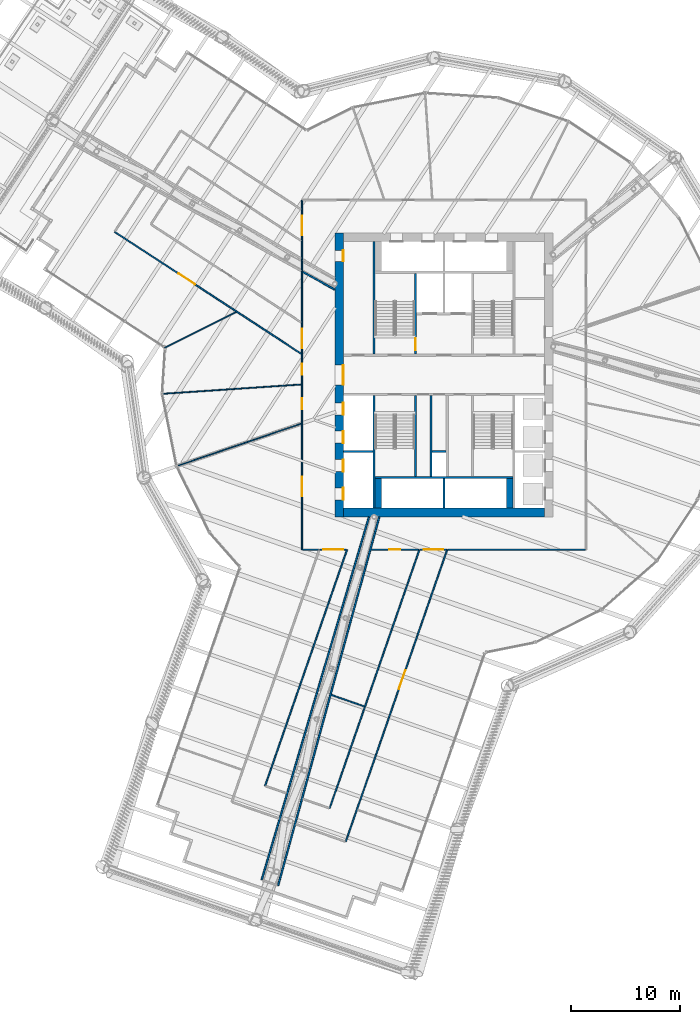
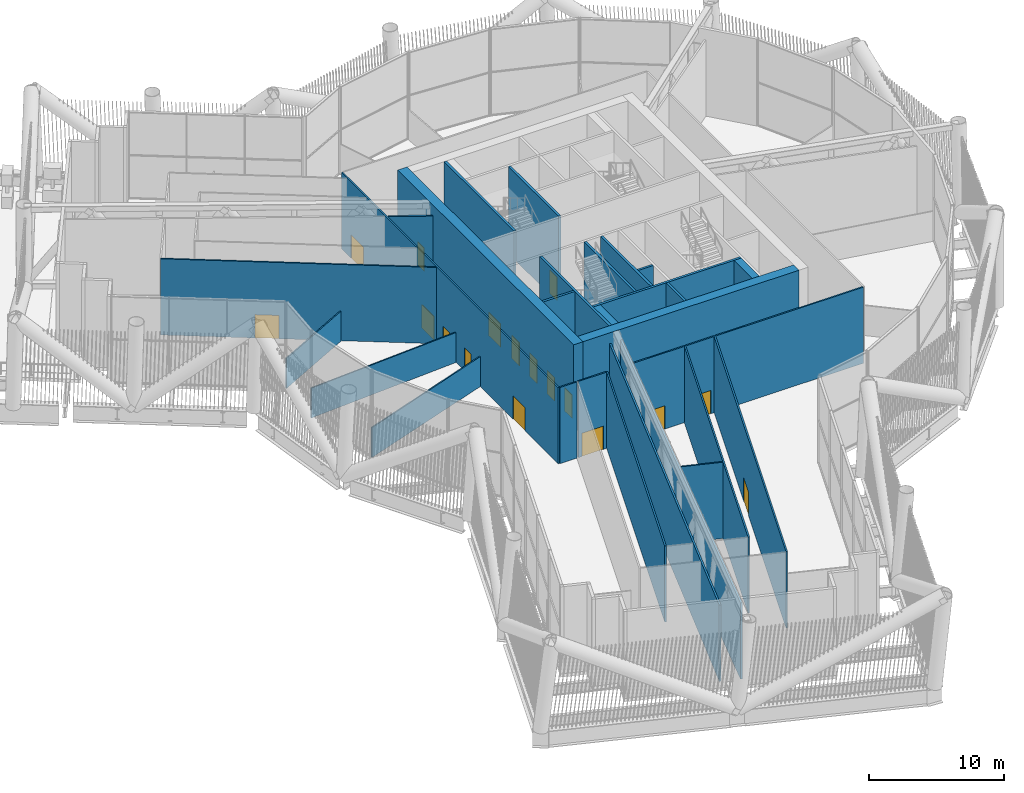
# One storey, part 39 of 63: 30 walls, 17 doors, 17 openings.
"""IFC4 building model written with IfcOpenShell, lengths in metres."""

from ifc_helpers import new_model, si_unit, direction, frame, frame_2d, origin, place, context, subcontext, project, spatial, rectangle, extrude, material, layer, layer_set, type_object, element, fill, save


model = new_model("IFC4")

# Units and contexts
model_context = context("Model", 3, precision=1e-05, world=origin(), true_north=direction((0.0, 1.0)))
body_context = subcontext(model_context, "Body", "Model", "MODEL_VIEW")
ifc_project = project(units=[si_unit("LENGTHUNIT", "METRE"), si_unit("AREAUNIT", "SQUARE_METRE"), si_unit("VOLUMEUNIT", "CUBIC_METRE"), si_unit("PLANEANGLEUNIT", "RADIAN"), si_unit("MASSUNIT", "GRAM", prefix="KILO")], contexts=[model_context])

# Site, building, storey
site_placement = place(None, origin())
site = spatial("IfcSite", under=ifc_project, at=site_placement, CompositionType="ELEMENT")
building_placement = place(site_placement, origin())
building = spatial("IfcBuilding", under=site, at=building_placement, Name="Tarsis Ring Headquarters", CompositionType="ELEMENT")
storey_placement = place(building_placement, frame((0.0, 0.0, 139.60009765625)))
storey = spatial("IfcBuildingStorey", under=building, at=storey_placement, Name="L32", CompositionType="ELEMENT", Elevation=139.60009765625)

# Walls
ifc_material_1 = material(Name="Blockwork", Category="masonry")
ifc_layer_1 = layer(ifc_material_1, 0.199951171875)
ifc_layer_set_1 = layer_set([ifc_layer_1], Name="Core blockwork wall 200")
wall_type_1 = type_object("IfcWallType", Name="Core blockwork wall 200", PredefinedType="PARTITIONING", material=ifc_layer_set_1)
wall_1_placement = place(storey_placement, frame((-1.10009765625, -7.0, 0.0), z_axis=(0.0, 0.0, 1.0), x_axis=(1.0, 0.0, 0.0)))
element("IfcWall", 1, at=wall_1_placement, inside=storey, type_object=wall_type_1, Name="Core partition SP2", PredefinedType="PARTITIONING", context=body_context, shape_type="SweptSolid", body=[
    extrude(rectangle(XDim=1.300048828125, YDim=0.199951171875, at=frame_2d((0.64990234375, 0.0))), origin(), (0.0, 0.0, 1.0), 7.83984375),
])
wall_2_placement = place(storey_placement, frame((-1.199951171875, -9.300048828125, 0.0), z_axis=(0.0, 0.0, 1.0), x_axis=(0.0, 1.0, 0.0)))
element("IfcWall", 2, at=wall_2_placement, inside=storey, type_object=wall_type_1, Name="Core partition SV1", PredefinedType="PARTITIONING", context=body_context, shape_type="SweptSolid", body=[
    extrude(rectangle(XDim=7.400146484375, YDim=0.199951171875, at=frame_2d((3.7001953125, 0.0))), origin(), (0.0, 0.0, 1.0), 7.83984375),
])

# Wall, openings, doors
ifc_material_2 = material(Name="Concrete C60/75", Category="concrete")
ifc_layer_2 = layer(ifc_material_2, 0.800048828125)
ifc_layer_set_2 = layer_set([ifc_layer_2], Name="Core wall 800 C60/75")
wall_type_2 = type_object("IfcWallType", Name="Core wall 800 C60/75", PredefinedType="SHEAR", material=ifc_layer_set_2)
wall_3_placement = place(storey_placement, frame((-9.60009765625, -13.0, 0.0), z_axis=(0.0, 0.0, 1.0), x_axis=(0.0, 1.0, 0.0)))
wall_3 = element("IfcWall", 3, at=wall_3_placement, inside=storey, type_object=wall_type_2, Name="Core wall OW", PredefinedType="SHEAR", context=body_context, shape_type="SweptSolid", body=[
    extrude(rectangle(XDim=26.0, YDim=0.800048828125, at=frame_2d((13.0, 0.0))), origin(), (0.0, 0.0, 1.0), 7.83984375),
])
opening_1_placement = place(wall_3_placement, frame((1.550048828125, 0.0, 0.0)))
opening_1 = element("IfcOpeningElement", 4, at=opening_1_placement, cuts=wall_3, Name="Opening LD-LR1", PredefinedType="OPENING", context=body_context, shape_type="SweptSolid", body=[
    extrude(rectangle(XDim=1.10009765625, YDim=2.10009765625, at=frame_2d((0.550048828125, 1.050048828125))), frame((0.0, 0.409912109375, 0.0), z_axis=(0.0, -1.0, 0.0), x_axis=(1.0, 0.0, 0.0)), (0.0, 0.0, 1.0), 0.820068359375),
])
opening_2_placement = place(wall_3_placement, frame((4.14990234375, 0.0, 0.0)))
opening_2 = element("IfcOpeningElement", 5, at=opening_2_placement, cuts=wall_3, Name="Opening LD-LR2", PredefinedType="OPENING", context=body_context, shape_type="SweptSolid", body=[
    extrude(rectangle(XDim=1.10009765625, YDim=2.10009765625, at=frame_2d((0.550048828125, 1.050048828125))), frame((0.0, 0.409912109375, 0.0), z_axis=(0.0, -1.0, 0.0), x_axis=(1.0, 0.0, 0.0)), (0.0, 0.0, 1.0), 0.820068359375),
])
opening_3_placement = place(wall_3_placement, frame((6.75, 0.0, 0.0)))
opening_3 = element("IfcOpeningElement", 6, at=opening_3_placement, cuts=wall_3, Name="Opening LD-LR3", PredefinedType="OPENING", context=body_context, shape_type="SweptSolid", body=[
    extrude(rectangle(XDim=1.10009765625, YDim=2.10009765625, at=frame_2d((0.550048828125, 1.050048828125))), frame((0.0, 0.409912109375, 0.0), z_axis=(0.0, -1.0, 0.0), x_axis=(1.0, 0.0, 0.0)), (0.0, 0.0, 1.0), 0.820068359375),
])
opening_4_placement = place(wall_3_placement, frame((9.35009765625, 0.0, 0.0)))
opening_4 = element("IfcOpeningElement", 7, at=opening_4_placement, cuts=wall_3, Name="Opening LD-LR4", PredefinedType="OPENING", context=body_context, shape_type="SweptSolid", body=[
    extrude(rectangle(XDim=1.10009765625, YDim=2.10009765625, at=frame_2d((0.550048828125, 1.050048828125))), frame((0.0, 0.409912109375, 0.0), z_axis=(0.0, -1.0, 0.0), x_axis=(1.0, 0.0, 0.0)), (0.0, 0.0, 1.0), 0.820068359375),
])
opening_5_placement = place(wall_3_placement, frame((12.10009765625, 0.0, 0.0)))
opening_5 = element("IfcOpeningElement", 8, at=opening_5_placement, cuts=wall_3, Name="Opening L32-C05", PredefinedType="OPENING", context=body_context, shape_type="SweptSolid", body=[
    extrude(rectangle(XDim=1.800048828125, YDim=2.10009765625, at=frame_2d((0.89990234375, 1.050048828125))), frame((0.0, 0.409912109375, 0.0), z_axis=(0.0, -1.0, 0.0), x_axis=(1.0, 0.0, 0.0)), (0.0, 0.0, 1.0), 0.820068359375),
])
opening_6_placement = place(wall_3_placement, frame((23.39990234375, 0.0, 0.0)))
opening_6 = element("IfcOpeningElement", 9, at=opening_6_placement, cuts=wall_3, Name="Opening L32-C06", PredefinedType="OPENING", context=body_context, shape_type="SweptSolid", body=[
    extrude(rectangle(XDim=1.0, YDim=2.10009765625, at=frame_2d((0.5, 1.050048828125))), frame((0.0, 0.409912109375, 0.0), z_axis=(0.0, -1.0, 0.0), x_axis=(1.0, 0.0, 0.0)), (0.0, 0.0, 1.0), 0.820068359375),
])
ifc_material_3 = material(Name="Steel S355", Category="steel")
door_type_1 = type_object("IfcDoorType", Name="Core entry door 1800x2100", OperationType="DOUBLE_DOOR_SINGLE_SWING", PredefinedType="DOOR", material=ifc_material_3)
door_1_placement = place(opening_5_placement, origin())
door_1 = element("IfcDoor", 10, at=door_1_placement, inside=storey, type_object=door_type_1, Name="Core entry door L32", OperationType="DOUBLE_DOOR_SINGLE_SWING", OverallHeight=2.10009765625, OverallWidth=1.800048828125, PredefinedType="DOOR", context=body_context, shape_type="SweptSolid", body=[
    extrude(rectangle(XDim=1.800048828125, YDim=2.10009765625, at=frame_2d((0.89990234375, 1.050048828125))), frame((0.0, -0.35009765625, 0.0), z_axis=(0.0, -1.0, 0.0), x_axis=(1.0, 0.0, 0.0)), (0.0, 0.0, 1.0), 0.050048828125),
])
fill(opening_5, door_1)
door_type_2 = type_object("IfcDoorType", Name="Core room door 1000x2100", OperationType="SINGLE_SWING_LEFT", PredefinedType="DOOR", material=ifc_material_3)
door_2_placement = place(opening_6_placement, origin())
door_2 = element("IfcDoor", 11, at=door_2_placement, inside=storey, type_object=door_type_2, Name="Core room door L32", OperationType="SINGLE_SWING_LEFT", OverallHeight=2.10009765625, OverallWidth=1.0, PredefinedType="DOOR", context=body_context, shape_type="SweptSolid", body=[
    extrude(rectangle(XDim=1.0, YDim=2.10009765625, at=frame_2d((0.5, 1.050048828125))), frame((0.0, -0.35009765625, 0.0), z_axis=(0.0, -1.0, 0.0), x_axis=(1.0, 0.0, 0.0)), (0.0, 0.0, 1.0), 0.050048828125),
])
fill(opening_6, door_2)
door_type_3 = type_object("IfcDoorType", Name="Landing door 1100x2100", OperationType="SLIDING_TO_LEFT", PredefinedType="DOOR", material=ifc_material_3)
door_3_placement = place(opening_1_placement, origin())
door_3 = element("IfcDoor", 12, at=door_3_placement, inside=storey, type_object=door_type_3, Name="Landing door LR1 L32", OperationType="SLIDING_TO_LEFT", OverallHeight=2.10009765625, OverallWidth=1.10009765625, PredefinedType="DOOR", context=body_context, shape_type="SweptSolid", body=[
    extrude(rectangle(XDim=1.10009765625, YDim=2.10009765625, at=frame_2d((0.550048828125, 1.050048828125))), frame((0.0, -0.35009765625, 0.0), z_axis=(0.0, -1.0, 0.0), x_axis=(1.0, 0.0, 0.0)), (0.0, 0.0, 1.0), 0.050048828125),
])
fill(opening_1, door_3)
door_4_placement = place(opening_2_placement, origin())
door_4 = element("IfcDoor", 13, at=door_4_placement, inside=storey, type_object=door_type_3, Name="Landing door LR2 L32", OperationType="SLIDING_TO_LEFT", OverallHeight=2.10009765625, OverallWidth=1.10009765625, PredefinedType="DOOR", context=body_context, shape_type="SweptSolid", body=[
    extrude(rectangle(XDim=1.10009765625, YDim=2.10009765625, at=frame_2d((0.550048828125, 1.050048828125))), frame((0.0, -0.35009765625, 0.0), z_axis=(0.0, -1.0, 0.0), x_axis=(1.0, 0.0, 0.0)), (0.0, 0.0, 1.0), 0.050048828125),
])
fill(opening_2, door_4)
door_5_placement = place(opening_3_placement, origin())
door_5 = element("IfcDoor", 14, at=door_5_placement, inside=storey, type_object=door_type_3, Name="Landing door LR3 L32", OperationType="SLIDING_TO_LEFT", OverallHeight=2.10009765625, OverallWidth=1.10009765625, PredefinedType="DOOR", context=body_context, shape_type="SweptSolid", body=[
    extrude(rectangle(XDim=1.10009765625, YDim=2.10009765625, at=frame_2d((0.550048828125, 1.050048828125))), frame((0.0, -0.35009765625, 0.0), z_axis=(0.0, -1.0, 0.0), x_axis=(1.0, 0.0, 0.0)), (0.0, 0.0, 1.0), 0.050048828125),
])
fill(opening_3, door_5)
door_6_placement = place(opening_4_placement, origin())
door_6 = element("IfcDoor", 15, at=door_6_placement, inside=storey, type_object=door_type_3, Name="Landing door LR4 L32", OperationType="SLIDING_TO_LEFT", OverallHeight=2.10009765625, OverallWidth=1.10009765625, PredefinedType="DOOR", context=body_context, shape_type="SweptSolid", body=[
    extrude(rectangle(XDim=1.10009765625, YDim=2.10009765625, at=frame_2d((0.550048828125, 1.050048828125))), frame((0.0, -0.35009765625, 0.0), z_axis=(0.0, -1.0, 0.0), x_axis=(1.0, 0.0, 0.0)), (0.0, 0.0, 1.0), 0.050048828125),
])
fill(opening_4, door_6)

# Walls
wall_4_placement = place(storey_placement, frame((-9.199951171875, -12.60009765625, 0.0), z_axis=(0.0, 0.0, 1.0), x_axis=(1.0, 0.0, 0.0)))
element("IfcWall", 16, at=wall_4_placement, inside=storey, type_object=wall_type_2, Name="Core wall OS", PredefinedType="SHEAR", context=body_context, shape_type="SweptSolid", body=[
    extrude(rectangle(XDim=18.39990234375, YDim=0.800048828125, at=frame_2d((9.199951171875, 0.0))), origin(), (0.0, 0.0, 1.0), 7.83984375),
])
ifc_material_4 = material(Name="Gypsum board on steel studs", Category="steel")
ifc_layer_3 = layer(ifc_material_4, 0.10009765625)
ifc_layer_set_3 = layer_set([ifc_layer_3], Name="FL partition 100 unrated")
wall_type_3 = type_object("IfcWallType", Name="FL partition 100 unrated", PredefinedType="PARTITIONING", material=ifc_layer_set_3)
wall_5_placement = place(storey_placement, frame((-25.8896484375, -1.73779296875, 0.0), z_axis=(0.0, 0.0, 1.0), x_axis=(0.997754363855, 0.06697932075, 0.0)))
element("IfcWall", 17, at=wall_5_placement, inside=storey, type_object=wall_type_3, Name="Partition PW3", PredefinedType="PARTITIONING", context=body_context, shape_type="SweptSolid", body=[
    extrude(rectangle(XDim=12.8486328125, YDim=0.10009765625, at=frame_2d((6.42431640625, 0.0))), origin(), (0.0, 0.0, 1.0), 2.699951171875),
])
wall_6_placement = place(storey_placement, frame((-24.5576171875, -8.379150390625, 0.0), z_axis=(0.0, 0.0, 1.0), x_axis=(0.946423829492, 0.322927135698, 0.0)))
element("IfcWall", 18, at=wall_6_placement, inside=storey, type_object=wall_type_3, Name="Partition PW3", PredefinedType="PARTITIONING", context=body_context, shape_type="SweptSolid", body=[
    extrude(rectangle(XDim=12.1318359375, YDim=0.10009765625, at=frame_2d((6.06591796875, 0.0))), origin(), (0.0, 0.0, 1.0), 2.699951171875),
])
wall_7_placement = place(storey_placement, frame((-25.59228515625, 2.476806640625, 0.0), z_axis=(0.0, 0.0, 1.0), x_axis=(0.894233412751, 0.447600942268, 0.0)))
element("IfcWall", 19, at=wall_7_placement, inside=storey, type_object=wall_type_3, Name="Partition PW3", PredefinedType="PARTITIONING", context=body_context, shape_type="SweptSolid", body=[
    extrude(rectangle(XDim=7.310546875, YDim=0.10009765625, at=frame_2d((3.6552734375, 0.0))), origin(), (0.0, 0.0, 1.0), 2.699951171875),
])

# Wall, openings, doors
ifc_layer_4 = layer(ifc_material_4, 0.125)
ifc_layer_set_4 = layer_set([ifc_layer_4], Name="FL partition 125 EI 60 H6870")
wall_type_4 = type_object("IfcWallType", Name="FL partition 125 EI 60 H6870", PredefinedType="PARTITIONING", material=ifc_layer_set_4)
wall_8_placement = place(storey_placement, frame((-13.0, -15.998046875, 0.0), z_axis=(0.0, 0.0, 1.0), x_axis=(0.0, 1.0, 0.0)))
wall_8 = element("IfcWall", 20, at=wall_8_placement, inside=storey, type_object=wall_type_4, Name="Partition PW1H687", PredefinedType="PARTITIONING", context=body_context, shape_type="SweptSolid", body=[
    extrude(rectangle(XDim=31.998046875, YDim=0.125, at=frame_2d((15.9990234375, 0.0))), origin(), (0.0, 0.0, 1.0), 6.869873046875),
])
opening_7_placement = place(wall_8_placement, frame((16.005859375, 0.0, 0.0)))
opening_7 = element("IfcOpeningElement", 21, at=opening_7_placement, cuts=wall_8, Name="Opening D32.06", PredefinedType="OPENING", context=body_context, shape_type="SweptSolid", body=[
    extrude(rectangle(XDim=1.0, YDim=2.10009765625, at=frame_2d((0.5, 1.050048828125))), frame((0.0, 0.072509765625, 0.0), z_axis=(0.0, -1.0, 0.0), x_axis=(1.0, 0.0, 0.0)), (0.0, 0.0, 1.0), 0.14501953125),
])
opening_8_placement = place(wall_8_placement, frame((12.843994140625, 0.0, 0.0)))
opening_8 = element("IfcOpeningElement", 22, at=opening_8_placement, cuts=wall_8, Name="Opening D32.07", PredefinedType="OPENING", context=body_context, shape_type="SweptSolid", body=[
    extrude(rectangle(XDim=1.0, YDim=2.10009765625, at=frame_2d((0.5, 1.050048828125))), frame((0.0, 0.072509765625, 0.0), z_axis=(0.0, -1.0, 0.0), x_axis=(1.0, 0.0, 0.0)), (0.0, 0.0, 1.0), 0.14501953125),
])
opening_9_placement = place(wall_8_placement, frame((4.881103515625, 0.0, 0.0)))
opening_9 = element("IfcOpeningElement", 23, at=opening_9_placement, cuts=wall_8, Name="Opening D32.08", PredefinedType="OPENING", context=body_context, shape_type="SweptSolid", body=[
    extrude(rectangle(XDim=1.800048828125, YDim=2.10009765625, at=frame_2d((0.89990234375, 1.050048828125))), frame((0.0, 0.072509765625, 0.0), z_axis=(0.0, -1.0, 0.0), x_axis=(1.0, 0.0, 0.0)), (0.0, 0.0, 1.0), 0.14501953125),
])
opening_10_placement = place(wall_8_placement, frame((28.764404296875, 0.0, 0.0)))
opening_10 = element("IfcOpeningElement", 24, at=opening_10_placement, cuts=wall_8, Name="Opening D32.19", PredefinedType="OPENING", context=body_context, shape_type="SweptSolid", body=[
    extrude(rectangle(XDim=1.800048828125, YDim=2.10009765625, at=frame_2d((0.89990234375, 1.050048828125))), frame((0.0, 0.072509765625, 0.0), z_axis=(0.0, -1.0, 0.0), x_axis=(1.0, 0.0, 0.0)), (0.0, 0.0, 1.0), 0.14501953125),
])
opening_11_placement = place(wall_8_placement, frame((18.419677734375, 0.0, 0.0)))
opening_11 = element("IfcOpeningElement", 25, at=opening_11_placement, cuts=wall_8, Name="Opening D32.20", PredefinedType="OPENING", context=body_context, shape_type="SweptSolid", body=[
    extrude(rectangle(XDim=1.800048828125, YDim=2.10009765625, at=frame_2d((0.89990234375, 1.050048828125))), frame((0.0, 0.072509765625, 0.0), z_axis=(0.0, -1.0, 0.0), x_axis=(1.0, 0.0, 0.0)), (0.0, 0.0, 1.0), 0.14501953125),
])
ifc_material_5 = material(Name="Fire-rated timber door leaf in steel frame", Category="steel")
door_type_4 = type_object("IfcDoorType", Name="FL door FD60-1000", OperationType="NOTDEFINED", PredefinedType="DOOR", material=ifc_material_5)
door_7_placement = place(opening_7_placement, origin())
door_7 = element("IfcDoor", 26, at=door_7_placement, inside=storey, type_object=door_type_4, Name="Door D32.06", OperationType="SINGLE_SWING_RIGHT", OverallHeight=2.10009765625, OverallWidth=1.0, PredefinedType="DOOR", context=body_context, shape_type="SweptSolid", body=[
    extrude(rectangle(XDim=1.0, YDim=2.10009765625, at=frame_2d((0.5, 1.050048828125))), frame((0.0, 0.02490234375, 0.0), z_axis=(0.0, -1.0, 0.0), x_axis=(1.0, 0.0, 0.0)), (0.0, 0.0, 1.0), 0.050048828125),
])
fill(opening_7, door_7)
door_8_placement = place(opening_8_placement, origin())
door_8 = element("IfcDoor", 27, at=door_8_placement, inside=storey, type_object=door_type_4, Name="Door D32.07", OperationType="SINGLE_SWING_LEFT", OverallHeight=2.10009765625, OverallWidth=1.0, PredefinedType="DOOR", context=body_context, shape_type="SweptSolid", body=[
    extrude(rectangle(XDim=1.0, YDim=2.10009765625, at=frame_2d((0.5, 1.050048828125))), frame((0.0, 0.02490234375, 0.0), z_axis=(0.0, -1.0, 0.0), x_axis=(1.0, 0.0, 0.0)), (0.0, 0.0, 1.0), 0.050048828125),
])
fill(opening_8, door_8)
door_type_5 = type_object("IfcDoorType", Name="FL door FD60-1800", OperationType="DOUBLE_DOOR_SINGLE_SWING", PredefinedType="DOOR", material=ifc_material_5)
door_9_placement = place(opening_9_placement, origin())
door_9 = element("IfcDoor", 28, at=door_9_placement, inside=storey, type_object=door_type_5, Name="Door D32.08", OperationType="DOUBLE_DOOR_SINGLE_SWING", OverallHeight=2.10009765625, OverallWidth=1.800048828125, PredefinedType="DOOR", context=body_context, shape_type="SweptSolid", body=[
    extrude(rectangle(XDim=1.800048828125, YDim=2.10009765625, at=frame_2d((0.89990234375, 1.050048828125))), frame((0.0, 0.02490234375, 0.0), z_axis=(0.0, -1.0, 0.0), x_axis=(1.0, 0.0, 0.0)), (0.0, 0.0, 1.0), 0.050048828125),
])
fill(opening_9, door_9)
door_10_placement = place(opening_10_placement, origin())
door_10 = element("IfcDoor", 29, at=door_10_placement, inside=storey, type_object=door_type_5, Name="Door D32.19", OperationType="DOUBLE_DOOR_SINGLE_SWING", OverallHeight=2.10009765625, OverallWidth=1.800048828125, PredefinedType="DOOR", context=body_context, shape_type="SweptSolid", body=[
    extrude(rectangle(XDim=1.800048828125, YDim=2.10009765625, at=frame_2d((0.89990234375, 1.050048828125))), frame((0.0, 0.02490234375, 0.0), z_axis=(0.0, -1.0, 0.0), x_axis=(1.0, 0.0, 0.0)), (0.0, 0.0, 1.0), 0.050048828125),
])
fill(opening_10, door_10)
door_11_placement = place(opening_11_placement, origin())
door_11 = element("IfcDoor", 30, at=door_11_placement, inside=storey, type_object=door_type_5, Name="Door D32.20", OperationType="DOUBLE_DOOR_SINGLE_SWING", OverallHeight=2.10009765625, OverallWidth=1.800048828125, PredefinedType="DOOR", context=body_context, shape_type="SweptSolid", body=[
    extrude(rectangle(XDim=1.800048828125, YDim=2.10009765625, at=frame_2d((0.89990234375, 1.050048828125))), frame((0.0, 0.02490234375, 0.0), z_axis=(0.0, -1.0, 0.0), x_axis=(1.0, 0.0, 0.0)), (0.0, 0.0, 1.0), 0.050048828125),
])
fill(opening_11, door_11)

# Wall, opening, door
wall_9_placement = place(storey_placement, frame((-8.990966796875, -42.725830078125, 0.0), z_axis=(0.0, 0.0, 1.0), x_axis=(0.328203662015, 0.944606985068, 0.0)))
wall_9 = element("IfcWall", 31, at=wall_9_placement, inside=storey, type_object=wall_type_4, Name="Partition PW1H687", PredefinedType="PARTITIONING", context=body_context, shape_type="SweptSolid", body=[
    extrude(rectangle(XDim=28.29296875, YDim=0.125, at=frame_2d((14.146484375, 0.0))), origin(), (0.0, 0.0, 1.0), 6.869873046875),
])
opening_12_placement = place(wall_9_placement, frame((14.79541015625, 0.0, 0.0)))
opening_12 = element("IfcOpeningElement", 32, at=opening_12_placement, cuts=wall_9, Name="Opening D32.12", PredefinedType="OPENING", context=body_context, shape_type="SweptSolid", body=[
    extrude(rectangle(XDim=1.800048828125, YDim=2.10009765625, at=frame_2d((0.89990234375, 1.050048828125))), frame((0.0, 0.072509765625, 0.0), z_axis=(0.0, -1.0, 0.0), x_axis=(1.0, 0.0, 0.0)), (0.0, 0.0, 1.0), 0.14501953125),
])
door_12_placement = place(opening_12_placement, origin())
door_12 = element("IfcDoor", 33, at=door_12_placement, inside=storey, type_object=door_type_5, Name="Door D32.12", OperationType="DOUBLE_DOOR_SINGLE_SWING", OverallHeight=2.10009765625, OverallWidth=1.800048828125, PredefinedType="DOOR", context=body_context, shape_type="SweptSolid", body=[
    extrude(rectangle(XDim=1.800048828125, YDim=2.10009765625, at=frame_2d((0.89990234375, 1.050048828125))), frame((0.0, 0.02490234375, 0.0), z_axis=(0.0, -1.0, 0.0), x_axis=(1.0, 0.0, 0.0)), (0.0, 0.0, 1.0), 0.050048828125),
])
fill(opening_12, door_12)

# Walls
wall_10_placement = place(storey_placement, frame((-10.4697265625, -39.669189453125, 0.0), z_axis=(0.0, 0.0, 1.0), x_axis=(0.328212995091, 0.94460374224, 0.0)))
element("IfcWall", 34, at=wall_10_placement, inside=storey, type_object=wall_type_4, Name="Partition PW1H687", PredefinedType="PARTITIONING", context=body_context, shape_type="SweptSolid", body=[
    extrude(rectangle(XDim=25.057373046875, YDim=0.125, at=frame_2d((12.52880859375, 0.0))), origin(), (0.0, 0.0, 1.0), 6.869873046875),
])
wall_11_placement = place(storey_placement, frame((-16.3828125, -37.614501953125, 0.0), z_axis=(0.0, 0.0, 1.0), x_axis=(0.328205684355, 0.944606282404, 0.0)))
element("IfcWall", 35, at=wall_11_placement, inside=storey, type_object=wall_type_4, Name="Partition PW1H687", PredefinedType="PARTITIONING", context=body_context, shape_type="SweptSolid", body=[
    extrude(rectangle(XDim=22.882080078125, YDim=0.125, at=frame_2d((11.44091796875, 0.0))), origin(), (0.0, 0.0, 1.0), 6.869873046875),
])

# Wall, opening, door
wall_12_placement = place(storey_placement, frame((-30.15673828125, 13.09814453125, 0.0), z_axis=(0.0, 0.0, 1.0), x_axis=(0.837145662542, -0.54698001763, 0.0)))
wall_12 = element("IfcWall", 36, at=wall_12_placement, inside=storey, type_object=wall_type_4, Name="Partition PW1H687", PredefinedType="PARTITIONING", context=body_context, shape_type="SweptSolid", body=[
    extrude(rectangle(XDim=20.394287109375, YDim=0.125, at=frame_2d((10.197265625, 0.0))), origin(), (0.0, 0.0, 1.0), 6.869873046875),
])
opening_13_placement = place(wall_12_placement, frame((6.9775390625, 0.0, 0.0)))
opening_13 = element("IfcOpeningElement", 37, at=opening_13_placement, cuts=wall_12, Name="Opening D32.01", PredefinedType="OPENING", context=body_context, shape_type="SweptSolid", body=[
    extrude(rectangle(XDim=1.800048828125, YDim=2.10009765625, at=frame_2d((0.89990234375, 1.050048828125))), frame((0.0, 0.072509765625, 0.0), z_axis=(0.0, -1.0, 0.0), x_axis=(1.0, 0.0, 0.0)), (0.0, 0.0, 1.0), 0.14501953125),
])
door_13_placement = place(opening_13_placement, origin())
door_13 = element("IfcDoor", 38, at=door_13_placement, inside=storey, type_object=door_type_5, Name="Door D32.01", OperationType="DOUBLE_DOOR_SINGLE_SWING", OverallHeight=2.10009765625, OverallWidth=1.800048828125, PredefinedType="DOOR", context=body_context, shape_type="SweptSolid", body=[
    extrude(rectangle(XDim=1.800048828125, YDim=2.10009765625, at=frame_2d((0.89990234375, 1.050048828125))), frame((0.0, 0.02490234375, 0.0), z_axis=(0.0, -1.0, 0.0), x_axis=(1.0, 0.0, 0.0)), (0.0, 0.0, 1.0), 0.050048828125),
])
fill(opening_13, door_13)

wall_13_placement = place(storey_placement, frame((-6.666259765625, -16.0, 0.0), z_axis=(0.0, 0.0, 1.0), x_axis=(1.0, 0.0, 0.0)))
wall_13 = element("IfcWall", 39, at=wall_13_placement, inside=storey, type_object=wall_type_4, Name="Partition PW1H687", PredefinedType="PARTITIONING", context=body_context, shape_type="SweptSolid", body=[
    extrude(rectangle(XDim=4.332763671875, YDim=0.125, at=frame_2d((2.16650390625, 0.0))), origin(), (0.0, 0.0, 1.0), 6.869873046875),
])
opening_14_placement = place(wall_13_placement, frame((1.665283203125, 0.0, 0.0)))
opening_14 = element("IfcOpeningElement", 40, at=opening_14_placement, cuts=wall_13, Name="Opening D32.16", PredefinedType="OPENING", context=body_context, shape_type="SweptSolid", body=[
    extrude(rectangle(XDim=1.0, YDim=2.10009765625, at=frame_2d((0.5, 1.050048828125))), frame((0.0, 0.072509765625, 0.0), z_axis=(0.0, -1.0, 0.0), x_axis=(1.0, 0.0, 0.0)), (0.0, 0.0, 1.0), 0.14501953125),
])
door_14_placement = place(opening_14_placement, origin())
door_14 = element("IfcDoor", 41, at=door_14_placement, inside=storey, type_object=door_type_4, Name="Door D32.16", OperationType="SINGLE_SWING_RIGHT", OverallHeight=2.10009765625, OverallWidth=1.0, PredefinedType="DOOR", context=body_context, shape_type="SweptSolid", body=[
    extrude(rectangle(XDim=1.0, YDim=2.10009765625, at=frame_2d((0.5, 1.050048828125))), frame((0.0, 0.02490234375, 0.0), z_axis=(0.0, -1.0, 0.0), x_axis=(1.0, 0.0, 0.0)), (0.0, 0.0, 1.0), 0.050048828125),
])
fill(opening_14, door_14)

wall_14_placement = place(storey_placement, frame((-2.186767578125, -16.0, 0.0), z_axis=(0.0, 0.0, 1.0), x_axis=(1.0, 0.0, 0.0)))
wall_14 = element("IfcWall", 42, at=wall_14_placement, inside=storey, type_object=wall_type_4, Name="Partition PW1H687", PredefinedType="PARTITIONING", context=body_context, shape_type="SweptSolid", body=[
    extrude(rectangle(XDim=2.393798828125, YDim=0.125, at=frame_2d((1.19677734375, 0.0))), origin(), (0.0, 0.0, 1.0), 6.869873046875),
])
opening_15_placement = place(wall_14_placement, frame((0.311279296875, 0.0, 0.0)))
opening_15 = element("IfcOpeningElement", 43, at=opening_15_placement, cuts=wall_14, Name="Opening D32.17", PredefinedType="OPENING", context=body_context, shape_type="SweptSolid", body=[
    extrude(rectangle(XDim=1.800048828125, YDim=2.10009765625, at=frame_2d((0.89990234375, 1.050048828125))), frame((0.0, 0.072509765625, 0.0), z_axis=(0.0, -1.0, 0.0), x_axis=(1.0, 0.0, 0.0)), (0.0, 0.0, 1.0), 0.14501953125),
])
door_15_placement = place(opening_15_placement, origin())
door_15 = element("IfcDoor", 44, at=door_15_placement, inside=storey, type_object=door_type_5, Name="Door D32.17", OperationType="DOUBLE_DOOR_SINGLE_SWING", OverallHeight=2.10009765625, OverallWidth=1.800048828125, PredefinedType="DOOR", context=body_context, shape_type="SweptSolid", body=[
    extrude(rectangle(XDim=1.800048828125, YDim=2.10009765625, at=frame_2d((0.89990234375, 1.050048828125))), frame((0.0, 0.02490234375, 0.0), z_axis=(0.0, -1.0, 0.0), x_axis=(1.0, 0.0, 0.0)), (0.0, 0.0, 1.0), 0.050048828125),
])
fill(opening_15, door_15)

# Walls
wall_15_placement = place(storey_placement, frame((0.35400390625, -16.0, 0.0), z_axis=(0.0, 0.0, 1.0), x_axis=(1.0, 0.0, 0.0)))
element("IfcWall", 45, at=wall_15_placement, inside=storey, type_object=wall_type_4, Name="Partition PW1H687", PredefinedType="PARTITIONING", context=body_context, shape_type="SweptSolid", body=[
    extrude(rectangle(XDim=12.583984375, YDim=0.125, at=frame_2d((6.2919921875, 0.0))), origin(), (0.0, 0.0, 1.0), 6.869873046875),
])
wall_16_placement = place(storey_placement, frame((-12.93798828125, -16.0, 0.0), z_axis=(0.0, 0.0, 1.0), x_axis=(1.0, 0.0, 0.0)))
element("IfcWall", 46, at=wall_16_placement, inside=storey, type_object=wall_type_4, Name="Partition PW1H687", PredefinedType="PARTITIONING", context=body_context, shape_type="SweptSolid", body=[
    extrude(rectangle(XDim=1.4365234375, YDim=0.125, at=frame_2d((0.71826171875, 0.0))), origin(), (0.0, 0.0, 1.0), 6.869873046875),
])

# Wall, opening, door
wall_17_placement = place(storey_placement, frame((-11.3544921875, -16.0, 0.0), z_axis=(0.0, 0.0, 1.0), x_axis=(1.0, 0.0, 0.0)))
wall_17 = element("IfcWall", 47, at=wall_17_placement, inside=storey, type_object=wall_type_4, Name="Partition PW1H687", PredefinedType="PARTITIONING", context=body_context, shape_type="SweptSolid", body=[
    extrude(rectangle(XDim=2.401611328125, YDim=0.125, at=frame_2d((1.20068359375, 0.0))), origin(), (0.0, 0.0, 1.0), 6.869873046875),
])
opening_16_placement = place(wall_17_placement, frame((0.311279296875, 0.0, 0.0)))
opening_16 = element("IfcOpeningElement", 48, at=opening_16_placement, cuts=wall_17, Name="Opening D32.18", PredefinedType="OPENING", context=body_context, shape_type="SweptSolid", body=[
    extrude(rectangle(XDim=1.800048828125, YDim=2.10009765625, at=frame_2d((0.89990234375, 1.050048828125))), frame((0.0, 0.072509765625, 0.0), z_axis=(0.0, -1.0, 0.0), x_axis=(1.0, 0.0, 0.0)), (0.0, 0.0, 1.0), 0.14501953125),
])
door_16_placement = place(opening_16_placement, origin())
door_16 = element("IfcDoor", 49, at=door_16_placement, inside=storey, type_object=door_type_5, Name="Door D32.18", OperationType="DOUBLE_DOOR_SINGLE_SWING", OverallHeight=2.10009765625, OverallWidth=1.800048828125, PredefinedType="DOOR", context=body_context, shape_type="SweptSolid", body=[
    extrude(rectangle(XDim=1.800048828125, YDim=2.10009765625, at=frame_2d((0.89990234375, 1.050048828125))), frame((0.0, 0.02490234375, 0.0), z_axis=(0.0, -1.0, 0.0), x_axis=(1.0, 0.0, 0.0)), (0.0, 0.0, 1.0), 0.050048828125),
])
fill(opening_16, door_16)

# Walls
wall_18_placement = place(storey_placement, frame((-10.3203125, -29.295654296875, 0.0), z_axis=(0.0, 0.0, 1.0), x_axis=(0.944609159456, -0.328197403816, 0.0)))
element("IfcWall", 50, at=wall_18_placement, inside=storey, type_object=wall_type_4, Name="Partition PW1H687", PredefinedType="PARTITIONING", context=body_context, shape_type="SweptSolid", body=[
    extrude(rectangle(XDim=3.193603515625, YDim=0.125, at=frame_2d((1.5966796875, 0.0))), origin(), (0.0, 0.0, 1.0), 6.869873046875),
])
ifc_layer_5 = layer(ifc_material_4, 0.14990234375)
ifc_layer_set_5 = layer_set([ifc_layer_5], Name="FL partition 150 EI 120 H6870")
wall_type_5 = type_object("IfcWallType", Name="FL partition 150 EI 120 H6870", PredefinedType="PARTITIONING", material=ifc_layer_set_5)
wall_19_placement = place(storey_placement, frame((-15.189453125, -46.75439453125, 0.0), z_axis=(0.0, 0.0, 1.0), x_axis=(0.264539551432, 0.964374836735, 0.0)))
element("IfcWall", 51, at=wall_19_placement, inside=storey, type_object=wall_type_5, Name="Partition PW2H687", PredefinedType="PARTITIONING", context=body_context, shape_type="SweptSolid", body=[
    extrude(rectangle(XDim=35.00048828125, YDim=0.14990234375, at=frame_2d((17.500244140625, 0.0))), origin(), (0.0, 0.0, 1.0), 6.869873046875),
])
wall_20_placement = place(storey_placement, frame((-16.6923828125, -46.232421875, 0.0), z_axis=(0.0, 0.0, 1.0), x_axis=(0.283510186359, 0.958969224861, 0.0)))
element("IfcWall", 52, at=wall_20_placement, inside=storey, type_object=wall_type_5, Name="Partition PW2H687", PredefinedType="PARTITIONING", context=body_context, shape_type="SweptSolid", body=[
    extrude(rectangle(XDim=34.65380859375, YDim=0.14990234375, at=frame_2d((17.326904296875, 0.0))), origin(), (0.0, 0.0, 1.0), 6.869873046875),
])
wall_21_placement = place(storey_placement, frame((-12.901123046875, 9.42431640625, 0.0), z_axis=(0.0, 0.0, 1.0), x_axis=(0.874053168886, -0.485830276908, 0.0)))
element("IfcWall", 53, at=wall_21_placement, inside=storey, type_object=wall_type_5, Name="Partition PW2H687", PredefinedType="PARTITIONING", context=body_context, shape_type="SweptSolid", body=[
    extrude(rectangle(XDim=3.319091796875, YDim=0.14990234375, at=frame_2d((1.65966796875, 0.0))), origin(), (0.0, 0.0, 1.0), 6.869873046875),
])
ifc_material_6 = material(Name="Concrete C32/40", Category="concrete")
ifc_layer_6 = layer(ifc_material_6, 0.60009765625)
ifc_layer_set_6 = layer_set([ifc_layer_6], Name="Shaft end wall 600 C32/40")
wall_type_6 = type_object("IfcWallType", Name="Shaft end wall 600 C32/40", PredefinedType="SOLIDWALL", material=ifc_layer_set_6)
for number, where, z_axis, x_axis, name in (
    (54, (-6.0, -12.199951171875, 0.0), (0.0, 0.0, 1.0), (0.0, 1.0, 0.0), "Core shaft wall SNE1"),
    (55, (6.0, -12.199951171875, 0.0), (0.0, 0.0, 1.0), (0.0, 1.0, 0.0), "Core shaft wall SNE2"),
):
    element("IfcWall", number, at=place(storey_placement, frame(where, z_axis=z_axis, x_axis=x_axis)), inside=storey, type_object=wall_type_6, Name=name, PredefinedType="SOLIDWALL", context=body_context, shape_type="SweptSolid", body=[
        extrude(rectangle(XDim=2.699951171875, YDim=0.60009765625, at=frame_2d((1.35009765625, 0.0))), origin(), (0.0, 0.0, 1.0), 7.83984375),
    ])
ifc_layer_7 = layer(ifc_material_6, 0.199951171875)
ifc_layer_set_7 = layer_set([ifc_layer_7], Name="Shaft wall 200 C32/40")
wall_type_7 = type_object("IfcWallType", Name="Shaft wall 200 C32/40", PredefinedType="SOLIDWALL", material=ifc_layer_set_7)
for number, where, z_axis, x_axis, name in (
    (56, (-6.39990234375, -12.199951171875, 0.0), (0.0, 0.0, 1.0), (0.0, 1.0, 0.0), "Core shaft wall WB1"),
    (57, (-6.39990234375, 1.89990234375, 0.0), (0.0, 0.0, 1.0), (0.0, 1.0, 0.0), "Core shaft wall WB2"),
):
    element("IfcWall", number, at=place(storey_placement, frame(where, z_axis=z_axis, x_axis=x_axis)), inside=storey, type_object=wall_type_7, Name=name, PredefinedType="SOLIDWALL", context=body_context, shape_type="SweptSolid", body=[
        extrude(rectangle(XDim=10.300048828125, YDim=0.199951171875, at=frame_2d((5.14990234375, 0.0))), origin(), (0.0, 0.0, 1.0), 7.83984375),
    ])
wall_22_placement = place(storey_placement, frame((-6.300048828125, -9.39990234375, 0.0), z_axis=(0.0, 0.0, 1.0), x_axis=(1.0, 0.0, 0.0)))
element("IfcWall", 58, at=wall_22_placement, inside=storey, type_object=wall_type_7, Name="Core shaft wall SB", PredefinedType="SOLIDWALL", context=body_context, shape_type="SweptSolid", body=[
    extrude(rectangle(XDim=12.60009765625, YDim=0.199951171875, at=frame_2d((6.300048828125, 0.0))), origin(), (0.0, 0.0, 1.0), 7.83984375),
])

# Wall, opening, door
wall_23_placement = place(storey_placement, frame((-2.60009765625, 1.89990234375, 0.0), z_axis=(0.0, 0.0, 1.0), x_axis=(0.0, 1.0, 0.0)))
wall_23 = element("IfcWall", 59, at=wall_23_placement, inside=storey, type_object=wall_type_7, Name="Core shaft wall SW1", PredefinedType="SOLIDWALL", context=body_context, shape_type="SweptSolid", body=[
    extrude(rectangle(XDim=7.400146484375, YDim=0.199951171875, at=frame_2d((3.7001953125, 0.0))), origin(), (0.0, 0.0, 1.0), 7.83984375),
])
opening_17_placement = place(wall_23_placement, frame((0.35009765625, 0.0, 0.0)))
opening_17 = element("IfcOpeningElement", 60, at=opening_17_placement, cuts=wall_23, Name="Opening L32-C28", PredefinedType="OPENING", context=body_context, shape_type="SweptSolid", body=[
    extrude(rectangle(XDim=1.10009765625, YDim=2.10009765625, at=frame_2d((0.550048828125, 1.050048828125))), frame((0.0, 0.10986328125, 0.0), z_axis=(0.0, -1.0, 0.0), x_axis=(1.0, 0.0, 0.0)), (0.0, 0.0, 1.0), 0.219970703125),
])
door_type_6 = type_object("IfcDoorType", Name="Stair door 1100x2100", OperationType="SINGLE_SWING_LEFT", PredefinedType="DOOR", material=ifc_material_3)
door_17_placement = place(opening_17_placement, origin())
door_17 = element("IfcDoor", 61, at=door_17_placement, inside=storey, type_object=door_type_6, Name="Stair door L32", OperationType="SINGLE_SWING_LEFT", OverallHeight=2.10009765625, OverallWidth=1.10009765625, PredefinedType="DOOR", context=body_context, shape_type="SweptSolid", body=[
    extrude(rectangle(XDim=1.10009765625, YDim=2.10009765625, at=frame_2d((0.550048828125, 1.050048828125))), frame((0.0, 0.02490234375, 0.0), z_axis=(0.0, -1.0, 0.0), x_axis=(1.0, 0.0, 0.0)), (0.0, 0.0, 1.0), 0.050048828125),
])
fill(opening_17, door_17)

# Walls
wall_24_placement = place(storey_placement, frame((-2.60009765625, -9.300048828125, 0.0), z_axis=(0.0, 0.0, 1.0), x_axis=(0.0, 1.0, 0.0)))
element("IfcWall", 62, at=wall_24_placement, inside=storey, type_object=wall_type_7, Name="Core shaft wall SW3", PredefinedType="SOLIDWALL", context=body_context, shape_type="SweptSolid", body=[
    extrude(rectangle(XDim=7.400146484375, YDim=0.199951171875, at=frame_2d((3.7001953125, 0.0))), origin(), (0.0, 0.0, 1.0), 7.83984375),
])
for number, where, z_axis, x_axis, name in (
    (63, (-9.199951171875, -7.0, 0.0), (0.0, 0.0, 1.0), (1.0, 0.0, 0.0), "Core shaft wall WD2"),
    (64, (0.0, -12.199951171875, 0.0), (0.0, 0.0, 1.0), (0.0, 1.0, 0.0), "Core shaft wall SD2"),
):
    element("IfcWall", number, at=place(storey_placement, frame(where, z_axis=z_axis, x_axis=x_axis)), inside=storey, type_object=wall_type_7, Name=name, PredefinedType="SOLIDWALL", context=body_context, shape_type="SweptSolid", body=[
        extrude(rectangle(XDim=2.699951171875, YDim=0.199951171875, at=frame_2d((1.35009765625, 0.0))), origin(), (0.0, 0.0, 1.0), 7.83984375),
    ])

save(model, "model.ifc")
